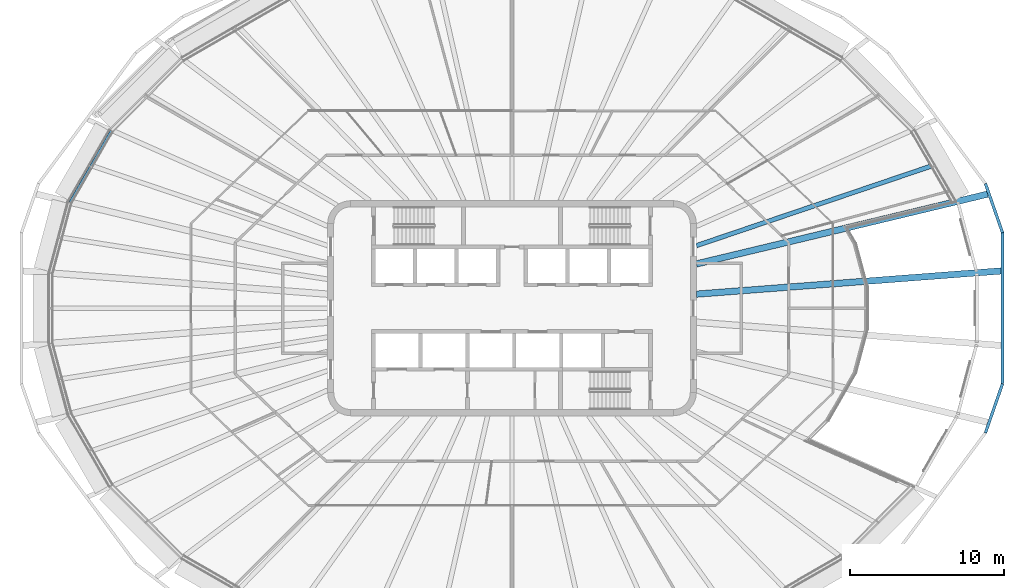
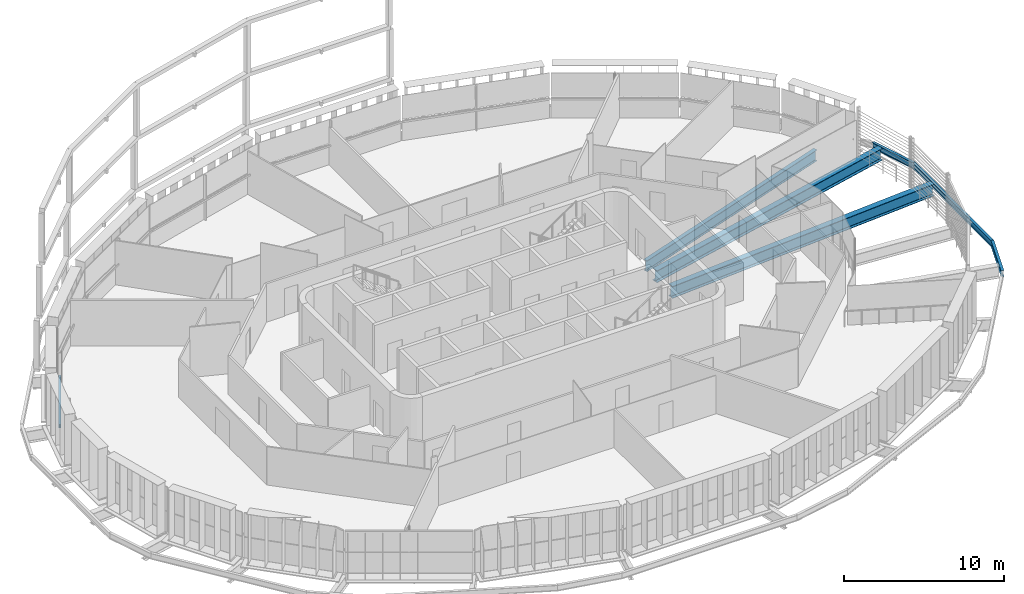
# One storey, part 5 of 21: 7 beams.
"""IFC4 building model written with IfcOpenShell, lengths in metres."""

import ifcopenshell
import ifcopenshell.guid

model = None  # the IFC model being written
_history = None  # IfcOwnerHistory: only IFC2X3 demands one
_inside = {}  # id of a spatial element -> (the spatial element, [elements in it])
_under = {}  # id of a project, library or spatial element -> (it, [spatial elements below it])
_declared = {}  # id of a project -> (the project, [libraries it declares])
_typed = {}  # id of a type object -> (the type object, [elements of that type])
_made_of = {}  # id of a material, layer set ... -> (it, [elements and type objects made of it])


def new_model(schema):
    """Start an empty IFC model of exactly this schema.

    Asked for "IFC4X3", IfcOpenShell would pick the latest addendum, in which some entities
    have other attributes; the version numbers below select the first issue.
    IFC2X3 requires an IfcOwnerHistory on every rooted entity: one is made here for all.
    """
    global model, _history
    if schema == "IFC4X3":
        model = ifcopenshell.file(schema_version=(4, 3, 0, 0))
    else:
        model = ifcopenshell.file(schema=schema)
    _inside.clear()
    _under.clear()
    _declared.clear()
    _typed.clear()
    _made_of.clear()
    _history = None
    if model.schema == "IFC2X3":
        org = make("IfcOrganization", Name="unknown")
        user = make(
            "IfcPersonAndOrganization",
            ThePerson=make("IfcPerson", FamilyName="unknown"),
            TheOrganization=org,
        )
        app = make(
            "IfcApplication",
            ApplicationDeveloper=org,
            Version="unknown",
            ApplicationFullName="unknown",
            ApplicationIdentifier="unknown",
        )
        _history = make(
            "IfcOwnerHistory",
            OwningUser=user,
            OwningApplication=app,
            ChangeAction="ADDED",
            CreationDate=0,
        )
    return model


def make(cls, **values):
    """One entity of the class cls with the attributes given. An attribute that is None is left unset."""
    return model.create_entity(
        cls, **{name: value for name, value in values.items() if value is not None}
    )


def rooted(cls, **values):
    """An entity with a GlobalId (a new one), such as an element, a storey or a relation."""
    return make(cls, GlobalId=ifcopenshell.guid.new(), OwnerHistory=_history, **values)


def si_unit(unit_type, name, prefix=None):
    """IfcSIUnit, for example si_unit("LENGTHUNIT", "METRE", prefix="MILLI")."""
    return make("IfcSIUnit", UnitType=unit_type, Prefix=prefix, Name=name)


def assignment(units):
    """IfcUnitAssignment: the units of a project."""
    return None if units is None else make("IfcUnitAssignment", Units=units)


def point(xyz):
    """IfcCartesianPoint."""
    return None if xyz is None else make("IfcCartesianPoint", Coordinates=xyz)


def direction(xyz):
    """IfcDirection."""
    return None if xyz is None else make("IfcDirection", DirectionRatios=xyz)


def frame(location, z_axis=None, x_axis=None):
    """IfcAxis2Placement3D, a coordinate frame: its origin and axes. An axis left out is left unset."""
    return make(
        "IfcAxis2Placement3D",
        Location=point(location),
        Axis=direction(z_axis),
        RefDirection=direction(x_axis),
    )


def frame_2d(location, x_axis=None):
    """IfcAxis2Placement2D, a coordinate frame in the plane: its origin and x axis."""
    return make(
        "IfcAxis2Placement2D", Location=point(location), RefDirection=direction(x_axis)
    )


def origin():
    """The frame at (0, 0, 0) with its axes left unset."""
    return frame((0.0, 0.0, 0.0))


def origin_2d():
    """The frame at (0, 0) in the plane with its x axis left unset."""
    return frame_2d((0.0, 0.0))


def place(relative_to, where):
    """IfcLocalPlacement: puts the frame where relative to a parent placement (None: the world)."""
    return make(
        "IfcLocalPlacement", PlacementRelTo=relative_to, RelativePlacement=where
    )


def context(
    kind, dimensions, precision=None, world=None, true_north=None, identifier=None
):
    """IfcGeometricRepresentationContext, for example the 3D "Model" context."""
    return make(
        "IfcGeometricRepresentationContext",
        ContextIdentifier=identifier,
        ContextType=kind,
        CoordinateSpaceDimension=dimensions,
        Precision=precision,
        WorldCoordinateSystem=world,
        TrueNorth=true_north,
    )


def subcontext(parent, identifier, kind, view, scale=None):
    """IfcGeometricRepresentationSubContext, for example "Body" below "Model"."""
    return make(
        "IfcGeometricRepresentationSubContext",
        ContextIdentifier=identifier,
        ContextType=kind,
        ParentContext=parent,
        TargetScale=scale,
        TargetView=view,
    )


def project(units=None, contexts=None):
    """IfcProject with its units and contexts."""
    return rooted(
        "IfcProject",
        Name="project",
        RepresentationContexts=contexts,
        UnitsInContext=assignment(units),
    )


def spatial(cls, under=None, at=None, **own):
    """A site, building, storey or space (cls), placed at a placement, below another one or the project."""
    s = rooted(cls, ObjectPlacement=at, **own)
    if under is not None:
        _under.setdefault(under.id(), (under, []))[1].append(s)
    return s


def profile(cls, at=None, kind="AREA", **sizes):
    """A parametric profile (cls). Its sizes go by their IFC names, for example OverallWidth=200.0."""
    return make(cls, ProfileType=kind, Position=at, **sizes)


def i_section(**sizes):
    """IfcIShapeProfileDef."""
    return profile("IfcIShapeProfileDef", **sizes)


def extrude(swept, where, along, depth):
    """IfcExtrudedAreaSolid: the profile swept, set in the frame where, extruded along a direction by depth."""
    return make(
        "IfcExtrudedAreaSolid",
        SweptArea=swept,
        Position=where,
        ExtrudedDirection=direction(along),
        Depth=depth,
    )


def shape(context_of_items, identifier, shape_type, items):
    """IfcShapeRepresentation: the items that make up one representation, for example the "Body"."""
    return make(
        "IfcShapeRepresentation",
        ContextOfItems=context_of_items,
        RepresentationIdentifier=identifier,
        RepresentationType=shape_type,
        Items=items,
    )


def material(Name=None, Category=None):
    """IfcMaterial."""
    return make("IfcMaterial", Name=Name, Category=Category)


def material_profile(
    of_material, cross_section, Name=None, Category=None, Priority=None
):
    """IfcMaterialProfile: a cross section and its material."""
    return make(
        "IfcMaterialProfile",
        Name=Name,
        Material=of_material,
        Profile=cross_section,
        Priority=Priority,
        Category=Category,
    )


def profile_set(profiles, Name=None, composite=None):
    """IfcMaterialProfileSet."""
    return make(
        "IfcMaterialProfileSet",
        Name=Name,
        MaterialProfiles=profiles,
        CompositeProfile=composite,
    )


def made_of(thing, what):
    """Note that an element or type object is made of a material, layer set ...; save() writes the relation."""
    if what is not None:
        _made_of.setdefault(what.id(), (what, []))[1].append(thing)
    return thing


def type_object(cls, material=None, **own):
    """A type object (cls), such as IfcWallType, which elements share."""
    return made_of(rooted(cls, **own), material)


def element(
    cls,
    number,
    at=None,
    inside=None,
    cuts=None,
    type_object=None,
    material=None,
    context=None,
    identifier="Body",
    shape_type=None,
    held_by="IfcProductDefinitionShape",
    body=None,
    shapes=None,
    **own,
):
    """One element of the class cls, such as IfcWall. Its Tag is "e" and its number.

    at: its placement. inside: the storey or other place that contains it. cuts: it is an
    opening in that element (IfcRelVoidsElement). A single representation is given by context,
    identifier, shape_type and body (its items); several are given by shapes. held_by: the class
    of the entity that holds the representations. save() writes the other relations.
    """
    e = rooted(cls, Tag="e%d" % number, ObjectPlacement=at, **own)
    if body is not None:
        shapes = [shape(context, identifier, shape_type, body)]
    if shapes is not None:
        e.Representation = make(held_by, Representations=shapes)
    if inside is not None:
        _inside.setdefault(inside.id(), (inside, []))[1].append(e)
    if cuts is not None:
        rooted(
            "IfcRelVoidsElement", RelatingBuildingElement=cuts, RelatedOpeningElement=e
        )
    if type_object is not None:
        _typed.setdefault(type_object.id(), (type_object, []))[1].append(e)
    return made_of(e, material)


def aggregate(whole, parts):
    """IfcRelAggregates: a whole, such as a stair, and the parts it consists of."""
    return rooted("IfcRelAggregates", RelatingObject=whole, RelatedObjects=parts)


def save(model, path):
    """Write the relations noted so far, then the file.

    IfcRelAggregates (storeys below a building ...), IfcRelContainedInSpatialStructure (elements
    in a storey), IfcRelDefinesByType, IfcRelAssociatesMaterial and IfcRelDeclares: one each for
    every whole, place, type object, material and project.
    """
    for whole, parts in _under.values():
        aggregate(whole, parts)
    for where, things in _inside.values():
        rooted(
            "IfcRelContainedInSpatialStructure",
            RelatedElements=things,
            RelatingStructure=where,
        )
    for kind, things in _typed.values():
        rooted("IfcRelDefinesByType", RelatedObjects=things, RelatingType=kind)
    for what, things in _made_of.values():
        rooted("IfcRelAssociatesMaterial", RelatedObjects=things, RelatingMaterial=what)
    for by, libraries in _declared.values():
        rooted("IfcRelDeclares", RelatingContext=by, RelatedDefinitions=libraries)
    model.write(path)


model = new_model("IFC4")

# Units and contexts
model_context = context("Model", 3, precision=1e-05, world=origin(), true_north=direction((0.0, 1.0)))
body_context = subcontext(model_context, "Body", "Model", "MODEL_VIEW")
ifc_project = project(units=[si_unit("LENGTHUNIT", "METRE"), si_unit("AREAUNIT", "SQUARE_METRE"), si_unit("VOLUMEUNIT", "CUBIC_METRE"), si_unit("PLANEANGLEUNIT", "RADIAN"), si_unit("MASSUNIT", "GRAM", prefix="KILO")], contexts=[model_context])

# Site, building, storey
site_placement = place(None, origin())
site = spatial("IfcSite", under=ifc_project, at=site_placement, CompositionType="ELEMENT")
building_placement = place(site_placement, origin())
building = spatial("IfcBuilding", under=site, at=building_placement, Name="Sahrelin Media Tower", CompositionType="ELEMENT")
storey_placement = place(building_placement, frame((0.0, 0.0, 263.0)))
storey = spatial("IfcBuildingStorey", under=building, at=storey_placement, Name="L57", CompositionType="ELEMENT", Elevation=263.0)

# Beams
ifc_material = material(Name="Steel S355", Category="steel")
ifc_material_profile_1 = material_profile(ifc_material, i_section(OverallWidth=0.1650390625, OverallDepth=0.303466796875, WebThickness=0.006103515625, FlangeThickness=0.01025390625, FilletRadius=0.0087890625, at=origin_2d()), Name="UB 305x165x40")
ifc_profile_set_1 = profile_set([ifc_material_profile_1], Name="Steel S355")
beam_type_1 = type_object("IfcBeamType", Name="Edge beam EB2", PredefinedType="BEAM", material=ifc_profile_set_1)
beam_1_placement = place(storey_placement, frame((-28.75, 6.885498046875, -0.3017578125), z_axis=(0.499996591357, 0.866027371756, 0.0), x_axis=(-0.866027371756, 0.499996591357, 0.0)))
element("IfcBeam", 1, at=beam_1_placement, inside=storey, type_object=beam_type_1, Name="Edge beam L57-12", PredefinedType="BEAM", context=body_context, shape_type="SweptSolid", body=[
    extrude(i_section(OverallWidth=0.1650390625, OverallDepth=0.303466796875, WebThickness=0.006103515625, FlangeThickness=0.01025390625, FilletRadius=0.0087890625, at=origin_2d()), origin(), (0.0, 0.0, 1.0), 5.37060546875),
])
ifc_material_profile_2 = material_profile(ifc_material, i_section(OverallWidth=0.41845703125, OverallDepth=0.911865234375, WebThickness=0.019287109375, FlangeThickness=0.031982421875, FilletRadius=0.024169921875, at=origin_2d()), Name="UB 914x419x343")
ifc_profile_set_2 = profile_set([ifc_material_profile_2], Name="Steel S355")
beam_type_2 = type_object("IfcBeamType", Name="Radial primary beam PB12", PredefinedType="BEAM", material=ifc_profile_set_2)
beam_2_placement = place(storey_placement, frame((12.0, 0.914306640625, -0.60595703125), z_axis=(0.997108566156, 0.075990178964, 0.0), x_axis=(-0.075990178964, 0.997108566156, 0.0)))
element("IfcBeam", 2, at=beam_2_placement, inside=storey, type_object=beam_type_2, Name="Radial beam L57-01", PredefinedType="BEAM", context=body_context, shape_type="SweptSolid", body=[
    extrude(i_section(OverallWidth=0.41845703125, OverallDepth=0.911865234375, WebThickness=0.019287109375, FlangeThickness=0.031982421875, FilletRadius=0.024169921875, at=origin_2d()), origin(), (0.0, 0.0, 1.0), 19.87744140625),
])
beam_3_placement = place(storey_placement, frame((12.0, 2.878173828125, -0.60595703125), z_axis=(0.972419716898, 0.233237848962, 0.0), x_axis=(-0.233237848962, 0.972419716898, 0.0)))
element("IfcBeam", 3, at=beam_3_placement, inside=storey, type_object=beam_type_2, Name="Radial beam L57-02", PredefinedType="BEAM", context=body_context, shape_type="SweptSolid", body=[
    extrude(i_section(OverallWidth=0.41845703125, OverallDepth=0.911865234375, WebThickness=0.019287109375, FlangeThickness=0.031982421875, FilletRadius=0.024169921875, at=origin_2d()), origin(), (0.0, 0.0, 1.0), 19.47900390625),
])
ifc_material_profile_3 = material_profile(ifc_material, i_section(OverallWidth=0.291748046875, OverallDepth=0.8349609375, WebThickness=0.013916015625, FlangeThickness=0.018798828125, FilletRadius=0.017822265625, at=origin_2d()), Name="UB 838x292x176")
ifc_profile_set_3 = profile_set([ifc_material_profile_3], Name="Steel S355")
beam_type_3 = type_object("IfcBeamType", Name="Radial secondary beam SB10", PredefinedType="BEAM", material=ifc_profile_set_3)
beam_4_placement = place(storey_placement, frame((12.0, 4.069091796875, -0.5673828125), z_axis=(0.94703727254, 0.321123659079, 0.0), x_axis=(-0.321123659079, 0.94703727254, 0.0)))
element("IfcBeam", 4, at=beam_4_placement, inside=storey, type_object=beam_type_3, Name="Secondary beam L57-01", PredefinedType="BEAM", context=body_context, shape_type="SweptSolid", body=[
    extrude(i_section(OverallWidth=0.291748046875, OverallDepth=0.8349609375, WebThickness=0.013916015625, FlangeThickness=0.018798828125, FilletRadius=0.017822265625, at=origin_2d()), origin(), (0.0, 0.0, 1.0), 16.142822265625),
])
ifc_material_profile_4 = material_profile(ifc_material, i_section(OverallWidth=0.1904296875, OverallDepth=0.45703125, WebThickness=0.009033203125, FlangeThickness=0.014404296875, FilletRadius=0.01025390625, at=origin_2d()), Name="UB 457x191x74")
ifc_profile_set_4 = profile_set([ifc_material_profile_4], Name="Steel S355")
beam_type_4 = type_object("IfcBeamType", Name="Tie chord TC5", PredefinedType="BEAM", material=ifc_profile_set_4)
for number, where, z_axis, x_axis, name in (
    (5, (31.915283203125, 4.9140625, -0.37841796875), (-0.328775257697, 0.944408190311, 0.0), (-0.944408190311, -0.328775257697, 0.0), "Tie chord L57-01"),
    (6, (30.802734375, -8.10986328125, -0.37841796875), (0.328775257697, 0.944408190311, 0.0), (-0.944408190311, 0.328775257697, 0.0), "Tie chord L57-23"),
):
    element("IfcBeam", number, at=place(storey_placement, frame(where, z_axis=z_axis, x_axis=x_axis)), inside=storey, type_object=beam_type_4, Name=name, PredefinedType="BEAM", context=body_context, shape_type="SweptSolid", body=[
        extrude(i_section(OverallWidth=0.1904296875, OverallDepth=0.45703125, WebThickness=0.009033203125, FlangeThickness=0.014404296875, FilletRadius=0.01025390625, at=origin_2d()), origin(), (0.0, 0.0, 1.0), 3.384033203125),
    ])
beam_5_placement = place(storey_placement, frame((31.915283203125, -4.9140625, -0.37841796875), z_axis=(0.0, 1.0, 0.0), x_axis=(-1.0, 0.0, 0.0)))
element("IfcBeam", 7, at=beam_5_placement, inside=storey, type_object=beam_type_4, Name="Tie chord L57-24", PredefinedType="BEAM", context=body_context, shape_type="SweptSolid", body=[
    extrude(i_section(OverallWidth=0.1904296875, OverallDepth=0.45703125, WebThickness=0.009033203125, FlangeThickness=0.014404296875, FilletRadius=0.01025390625, at=origin_2d()), origin(), (0.0, 0.0, 1.0), 9.828125),
])

save(model, "model.ifc")
